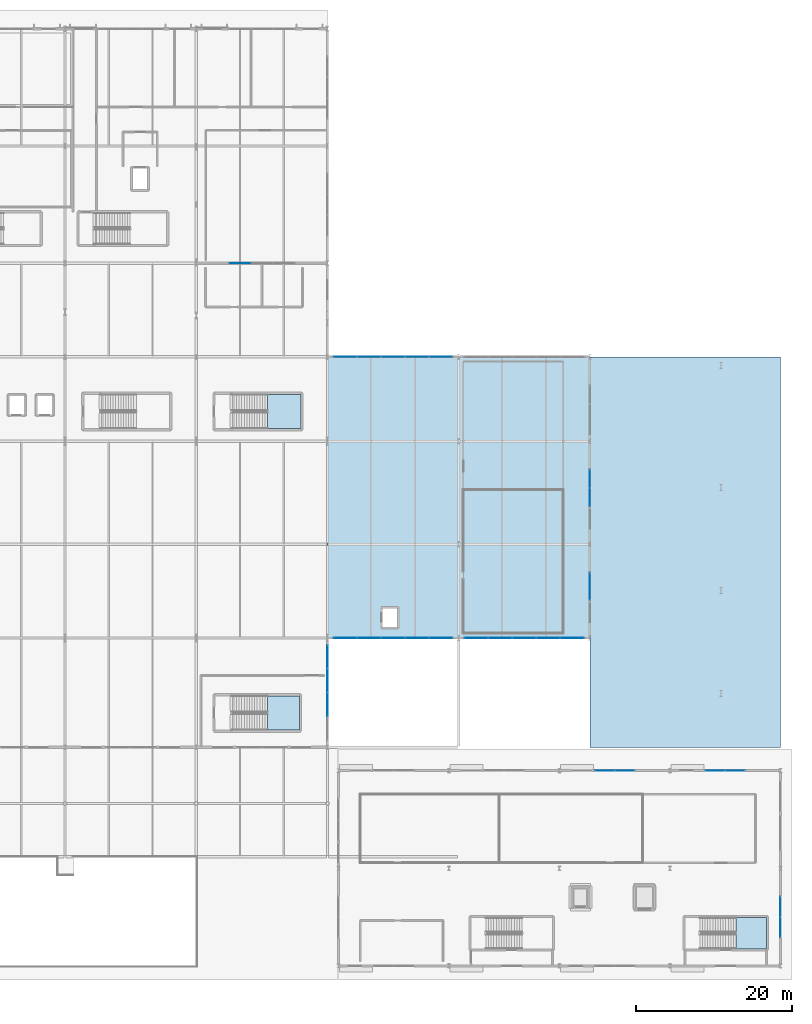
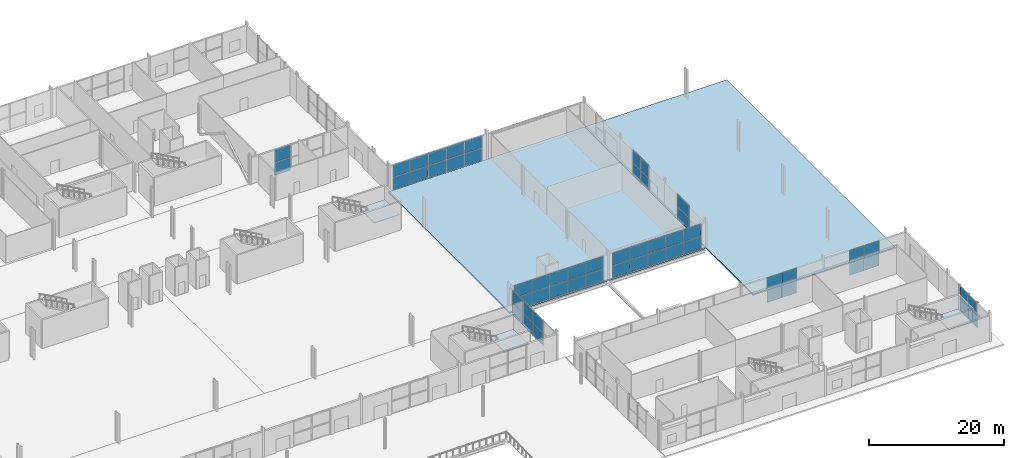
# One storey, part 56 of 87: 56 plates, 5 slabs, 13 elements without a shape of their own.
"""IFC4 building model written with IfcOpenShell, lengths in metres."""

from ifc_helpers import new_model, si_unit, direction, frame, origin, origin_2d, place, context, subcontext, project, spatial, polyline, rectangle, outline, extrude, material, layer, layer_set, type_object, element, aggregate, save


model = new_model("IFC4")

# Units and contexts
model_context = context("Model", 3, precision=1e-05, world=origin(), true_north=direction((0.0, 1.0)))
body_context = subcontext(model_context, "Body", "Model", "MODEL_VIEW")
ifc_project = project(units=[si_unit("LENGTHUNIT", "METRE"), si_unit("AREAUNIT", "SQUARE_METRE"), si_unit("VOLUMEUNIT", "CUBIC_METRE"), si_unit("PLANEANGLEUNIT", "RADIAN"), si_unit("MASSUNIT", "GRAM", prefix="KILO")], contexts=[model_context])

# Site, building, storey
site_placement = place(None, origin())
site = spatial("IfcSite", under=ifc_project, at=site_placement, CompositionType="ELEMENT")
building_placement = place(site_placement, origin())
building = spatial("IfcBuilding", under=site, at=building_placement, Name="Kimbaza Rail Terminus", CompositionType="ELEMENT")
storey_placement = place(building_placement, origin())
storey = spatial("IfcBuildingStorey", under=building, at=storey_placement, Name="L00", CompositionType="ELEMENT", Elevation=0.0)

# Curtain wall, plates
ifc_material_1 = material(Name="Anodised aluminium framing and solar low-E glazing", Category="aluminium")
curtain_wall_type_1 = type_object("IfcCurtainWallType", Name="ARC-CW-TH1", PredefinedType="USERDEFINED", material=ifc_material_1)
curtain_wall_1_placement = place(storey_placement, origin())
curtain_wall_1 = element("IfcCurtainWall", 1, at=curtain_wall_1_placement, inside=storey, type_object=curtain_wall_type_1, Name="Concourse E Return Curtain Wall L00", ObjectType="UNITISED CURTAIN WALL", PredefinedType="USERDEFINED")
ifc_material_2 = material(Name="Solar-control double low-E glazing", Category="glass")
ifc_layer_1 = layer(ifc_material_2, 0.035888671875)
ifc_layer_set_1 = layer_set([ifc_layer_1], Name="Solar-control double low-E glazing")
plate_type_1 = type_object("IfcPlateType", Name="ARC-CWP-01", PredefinedType="CURTAIN_PANEL", material=ifc_layer_set_1)
plate_1_placement = place(storey_placement, frame((156.0, 46.4775390625, 0.0751953125), z_axis=(0.0, 0.0, 1.0), x_axis=(0.0, 1.0, 0.0)))
plate_1 = element("IfcPlate", 2, at=plate_1_placement, type_object=plate_type_1, Name="CW-01 panel 2.1", PredefinedType="CURTAIN_PANEL", context=body_context, shape_type="SweptSolid", body=[
    extrude(rectangle(XDim=2.989990234375, YDim=0.035888671875, at=origin_2d()), origin(), (0.0, 0.0, 1.0), 2.199951171875),
])
plate_2_placement = place(storey_placement, frame((156.0, 46.4775390625, 2.35009765625), z_axis=(0.0, 0.0, 1.0), x_axis=(0.0, 1.0, 0.0)))
plate_2 = element("IfcPlate", 3, at=plate_2_placement, type_object=plate_type_1, Name="CW-01 panel 2.2", PredefinedType="CURTAIN_PANEL", context=body_context, shape_type="SweptSolid", body=[
    extrude(rectangle(XDim=2.989990234375, YDim=0.035888671875, at=origin_2d()), origin(), (0.0, 0.0, 1.0), 2.199951171875),
])
plate_3_placement = place(storey_placement, frame((156.0, 49.54248046875, 0.0751953125), z_axis=(0.0, 0.0, 1.0), x_axis=(0.0, 1.0, 0.0)))
plate_3 = element("IfcPlate", 4, at=plate_3_placement, type_object=plate_type_1, Name="CW-01 panel 3.1", PredefinedType="CURTAIN_PANEL", context=body_context, shape_type="SweptSolid", body=[
    extrude(rectangle(XDim=2.989990234375, YDim=0.035888671875, at=origin_2d()), origin(), (0.0, 0.0, 1.0), 2.199951171875),
])
plate_4_placement = place(storey_placement, frame((156.0, 49.54248046875, 2.35009765625), z_axis=(0.0, 0.0, 1.0), x_axis=(0.0, 1.0, 0.0)))
plate_4 = element("IfcPlate", 5, at=plate_4_placement, type_object=plate_type_1, Name="CW-01 panel 3.2", PredefinedType="CURTAIN_PANEL", context=body_context, shape_type="SweptSolid", body=[
    extrude(rectangle(XDim=2.989990234375, YDim=0.035888671875, at=origin_2d()), origin(), (0.0, 0.0, 1.0), 2.199951171875),
])
plate_5_placement = place(storey_placement, frame((156.0, 52.5888671875, 0.0751953125), z_axis=(0.0, 0.0, 1.0), x_axis=(0.0, 1.0, 0.0)))
plate_5 = element("IfcPlate", 6, at=plate_5_placement, type_object=plate_type_1, Name="CW-01 panel 4.1", PredefinedType="CURTAIN_PANEL", context=body_context, shape_type="SweptSolid", body=[
    extrude(rectangle(XDim=2.952392578125, YDim=0.035888671875, at=origin_2d()), origin(), (0.0, 0.0, 1.0), 2.199951171875),
])
plate_6_placement = place(storey_placement, frame((156.0, 52.5888671875, 2.35009765625), z_axis=(0.0, 0.0, 1.0), x_axis=(0.0, 1.0, 0.0)))
plate_6 = element("IfcPlate", 7, at=plate_6_placement, type_object=plate_type_1, Name="CW-01 panel 4.2", PredefinedType="CURTAIN_PANEL", context=body_context, shape_type="SweptSolid", body=[
    extrude(rectangle(XDim=2.952392578125, YDim=0.035888671875, at=origin_2d()), origin(), (0.0, 0.0, 1.0), 2.199951171875),
])
aggregate(curtain_wall_1, [plate_1, plate_2, plate_3, plate_4, plate_5, plate_6])

curtain_wall_2_placement = place(storey_placement, origin())
curtain_wall_2 = element("IfcCurtainWall", 8, at=curtain_wall_2_placement, inside=storey, type_object=curtain_wall_type_1, Name="Ticket Hall Wing E Curtain Wall L00.1", ObjectType="UNITISED CURTAIN WALL", PredefinedType="USERDEFINED")
plate_7_placement = place(storey_placement, frame((158.274658203125, 55.0, 0.0751953125), z_axis=(0.0, 0.0, 1.0), x_axis=(1.0, 0.0, 0.0)))
plate_7 = element("IfcPlate", 9, at=plate_7_placement, type_object=plate_type_1, Name="CW-01 panel 1.1", PredefinedType="CURTAIN_PANEL", context=body_context, shape_type="SweptSolid", body=[
    extrude(rectangle(XDim=2.95947265625, YDim=0.035888671875, at=origin_2d()), origin(), (0.0, 0.0, 1.0), 2.199951171875),
])
plate_8_placement = place(storey_placement, frame((158.274658203125, 55.0, 2.35009765625), z_axis=(0.0, 0.0, 1.0), x_axis=(1.0, 0.0, 0.0)))
plate_8 = element("IfcPlate", 10, at=plate_8_placement, type_object=plate_type_1, Name="CW-01 panel 1.2", PredefinedType="CURTAIN_PANEL", context=body_context, shape_type="SweptSolid", body=[
    extrude(rectangle(XDim=2.95947265625, YDim=0.035888671875, at=origin_2d()), origin(), (0.0, 0.0, 1.0), 2.199951171875),
])
plate_9_placement = place(storey_placement, frame((161.327880859375, 55.0, 0.0751953125), z_axis=(0.0, 0.0, 1.0), x_axis=(1.0, 0.0, 0.0)))
plate_9 = element("IfcPlate", 11, at=plate_9_placement, type_object=plate_type_1, Name="CW-01 panel 2.1", PredefinedType="CURTAIN_PANEL", context=body_context, shape_type="SweptSolid", body=[
    extrude(rectangle(XDim=2.9970703125, YDim=0.035888671875, at=origin_2d()), origin(), (0.0, 0.0, 1.0), 2.199951171875),
])
plate_10_placement = place(storey_placement, frame((161.327880859375, 55.0, 2.35009765625), z_axis=(0.0, 0.0, 1.0), x_axis=(1.0, 0.0, 0.0)))
plate_10 = element("IfcPlate", 12, at=plate_10_placement, type_object=plate_type_1, Name="CW-01 panel 2.2", PredefinedType="CURTAIN_PANEL", context=body_context, shape_type="SweptSolid", body=[
    extrude(rectangle(XDim=2.9970703125, YDim=0.035888671875, at=origin_2d()), origin(), (0.0, 0.0, 1.0), 2.199951171875),
])
plate_11_placement = place(storey_placement, frame((164.39990234375, 55.0, 0.0751953125), z_axis=(0.0, 0.0, 1.0), x_axis=(1.0, 0.0, 0.0)))
plate_11 = element("IfcPlate", 13, at=plate_11_placement, type_object=plate_type_1, Name="CW-01 panel 3.1", PredefinedType="CURTAIN_PANEL", context=body_context, shape_type="SweptSolid", body=[
    extrude(rectangle(XDim=2.9970703125, YDim=0.035888671875, at=origin_2d()), origin(), (0.0, 0.0, 1.0), 2.199951171875),
])
plate_12_placement = place(storey_placement, frame((164.39990234375, 55.0, 2.35009765625), z_axis=(0.0, 0.0, 1.0), x_axis=(1.0, 0.0, 0.0)))
plate_12 = element("IfcPlate", 14, at=plate_12_placement, type_object=plate_type_1, Name="CW-01 panel 3.2", PredefinedType="CURTAIN_PANEL", context=body_context, shape_type="SweptSolid", body=[
    extrude(rectangle(XDim=2.9970703125, YDim=0.035888671875, at=origin_2d()), origin(), (0.0, 0.0, 1.0), 2.199951171875),
])
plate_13_placement = place(storey_placement, frame((167.471923828125, 55.0, 0.0751953125), z_axis=(0.0, 0.0, 1.0), x_axis=(1.0, 0.0, 0.0)))
plate_13 = element("IfcPlate", 15, at=plate_13_placement, type_object=plate_type_1, Name="CW-01 panel 4.1", PredefinedType="CURTAIN_PANEL", context=body_context, shape_type="SweptSolid", body=[
    extrude(rectangle(XDim=2.9970703125, YDim=0.035888671875, at=origin_2d()), origin(), (0.0, 0.0, 1.0), 2.199951171875),
])
plate_14_placement = place(storey_placement, frame((167.471923828125, 55.0, 2.35009765625), z_axis=(0.0, 0.0, 1.0), x_axis=(1.0, 0.0, 0.0)))
plate_14 = element("IfcPlate", 16, at=plate_14_placement, type_object=plate_type_1, Name="CW-01 panel 4.2", PredefinedType="CURTAIN_PANEL", context=body_context, shape_type="SweptSolid", body=[
    extrude(rectangle(XDim=2.9970703125, YDim=0.035888671875, at=origin_2d()), origin(), (0.0, 0.0, 1.0), 2.199951171875),
])
plate_15_placement = place(storey_placement, frame((170.525146484375, 55.0, 0.0751953125), z_axis=(0.0, 0.0, 1.0), x_axis=(1.0, 0.0, 0.0)))
plate_15 = element("IfcPlate", 17, at=plate_15_placement, type_object=plate_type_1, Name="CW-01 panel 5.1", PredefinedType="CURTAIN_PANEL", context=body_context, shape_type="SweptSolid", body=[
    extrude(rectangle(XDim=2.95947265625, YDim=0.035888671875, at=origin_2d()), origin(), (0.0, 0.0, 1.0), 2.199951171875),
])
plate_16_placement = place(storey_placement, frame((170.525146484375, 55.0, 2.35009765625), z_axis=(0.0, 0.0, 1.0), x_axis=(1.0, 0.0, 0.0)))
plate_16 = element("IfcPlate", 18, at=plate_16_placement, type_object=plate_type_1, Name="CW-01 panel 5.2", PredefinedType="CURTAIN_PANEL", context=body_context, shape_type="SweptSolid", body=[
    extrude(rectangle(XDim=2.95947265625, YDim=0.035888671875, at=origin_2d()), origin(), (0.0, 0.0, 1.0), 2.199951171875),
])
aggregate(curtain_wall_2, [plate_7, plate_8, plate_9, plate_10, plate_11, plate_12, plate_13, plate_14, plate_15, plate_16])

curtain_wall_3_placement = place(storey_placement, origin())
curtain_wall_3 = element("IfcCurtainWall", 19, at=curtain_wall_3_placement, inside=storey, type_object=curtain_wall_type_1, Name="Ticket Hall Wing E Curtain Wall L00.1", ObjectType="UNITISED CURTAIN WALL", PredefinedType="USERDEFINED")
plate_17_placement = place(storey_placement, frame((158.274658203125, 91.0, 0.0751953125), z_axis=(0.0, 0.0, 1.0), x_axis=(1.0, 0.0, 0.0)))
plate_17 = element("IfcPlate", 20, at=plate_17_placement, type_object=plate_type_1, Name="CW-01 panel 1.1", PredefinedType="CURTAIN_PANEL", context=body_context, shape_type="SweptSolid", body=[
    extrude(rectangle(XDim=2.95947265625, YDim=0.035888671875, at=origin_2d()), origin(), (0.0, 0.0, 1.0), 2.199951171875),
])
plate_18_placement = place(storey_placement, frame((158.274658203125, 91.0, 2.35009765625), z_axis=(0.0, 0.0, 1.0), x_axis=(1.0, 0.0, 0.0)))
plate_18 = element("IfcPlate", 21, at=plate_18_placement, type_object=plate_type_1, Name="CW-01 panel 1.2", PredefinedType="CURTAIN_PANEL", context=body_context, shape_type="SweptSolid", body=[
    extrude(rectangle(XDim=2.95947265625, YDim=0.035888671875, at=origin_2d()), origin(), (0.0, 0.0, 1.0), 2.199951171875),
])
plate_19_placement = place(storey_placement, frame((161.327880859375, 91.0, 0.0751953125), z_axis=(0.0, 0.0, 1.0), x_axis=(1.0, 0.0, 0.0)))
plate_19 = element("IfcPlate", 22, at=plate_19_placement, type_object=plate_type_1, Name="CW-01 panel 2.1", PredefinedType="CURTAIN_PANEL", context=body_context, shape_type="SweptSolid", body=[
    extrude(rectangle(XDim=2.9970703125, YDim=0.035888671875, at=origin_2d()), origin(), (0.0, 0.0, 1.0), 2.199951171875),
])
plate_20_placement = place(storey_placement, frame((161.327880859375, 91.0, 2.35009765625), z_axis=(0.0, 0.0, 1.0), x_axis=(1.0, 0.0, 0.0)))
plate_20 = element("IfcPlate", 23, at=plate_20_placement, type_object=plate_type_1, Name="CW-01 panel 2.2", PredefinedType="CURTAIN_PANEL", context=body_context, shape_type="SweptSolid", body=[
    extrude(rectangle(XDim=2.9970703125, YDim=0.035888671875, at=origin_2d()), origin(), (0.0, 0.0, 1.0), 2.199951171875),
])
plate_21_placement = place(storey_placement, frame((164.39990234375, 91.0, 0.0751953125), z_axis=(0.0, 0.0, 1.0), x_axis=(1.0, 0.0, 0.0)))
plate_21 = element("IfcPlate", 24, at=plate_21_placement, type_object=plate_type_1, Name="CW-01 panel 3.1", PredefinedType="CURTAIN_PANEL", context=body_context, shape_type="SweptSolid", body=[
    extrude(rectangle(XDim=2.9970703125, YDim=0.035888671875, at=origin_2d()), origin(), (0.0, 0.0, 1.0), 2.199951171875),
])
plate_22_placement = place(storey_placement, frame((164.39990234375, 91.0, 2.35009765625), z_axis=(0.0, 0.0, 1.0), x_axis=(1.0, 0.0, 0.0)))
plate_22 = element("IfcPlate", 25, at=plate_22_placement, type_object=plate_type_1, Name="CW-01 panel 3.2", PredefinedType="CURTAIN_PANEL", context=body_context, shape_type="SweptSolid", body=[
    extrude(rectangle(XDim=2.9970703125, YDim=0.035888671875, at=origin_2d()), origin(), (0.0, 0.0, 1.0), 2.199951171875),
])
plate_23_placement = place(storey_placement, frame((167.471923828125, 91.0, 0.0751953125), z_axis=(0.0, 0.0, 1.0), x_axis=(1.0, 0.0, 0.0)))
plate_23 = element("IfcPlate", 26, at=plate_23_placement, type_object=plate_type_1, Name="CW-01 panel 4.1", PredefinedType="CURTAIN_PANEL", context=body_context, shape_type="SweptSolid", body=[
    extrude(rectangle(XDim=2.9970703125, YDim=0.035888671875, at=origin_2d()), origin(), (0.0, 0.0, 1.0), 2.199951171875),
])
plate_24_placement = place(storey_placement, frame((167.471923828125, 91.0, 2.35009765625), z_axis=(0.0, 0.0, 1.0), x_axis=(1.0, 0.0, 0.0)))
plate_24 = element("IfcPlate", 27, at=plate_24_placement, type_object=plate_type_1, Name="CW-01 panel 4.2", PredefinedType="CURTAIN_PANEL", context=body_context, shape_type="SweptSolid", body=[
    extrude(rectangle(XDim=2.9970703125, YDim=0.035888671875, at=origin_2d()), origin(), (0.0, 0.0, 1.0), 2.199951171875),
])
plate_25_placement = place(storey_placement, frame((170.525146484375, 91.0, 0.0751953125), z_axis=(0.0, 0.0, 1.0), x_axis=(1.0, 0.0, 0.0)))
plate_25 = element("IfcPlate", 28, at=plate_25_placement, type_object=plate_type_1, Name="CW-01 panel 5.1", PredefinedType="CURTAIN_PANEL", context=body_context, shape_type="SweptSolid", body=[
    extrude(rectangle(XDim=2.95947265625, YDim=0.035888671875, at=origin_2d()), origin(), (0.0, 0.0, 1.0), 2.199951171875),
])
plate_26_placement = place(storey_placement, frame((170.525146484375, 91.0, 2.35009765625), z_axis=(0.0, 0.0, 1.0), x_axis=(1.0, 0.0, 0.0)))
plate_26 = element("IfcPlate", 29, at=plate_26_placement, type_object=plate_type_1, Name="CW-01 panel 5.2", PredefinedType="CURTAIN_PANEL", context=body_context, shape_type="SweptSolid", body=[
    extrude(rectangle(XDim=2.95947265625, YDim=0.035888671875, at=origin_2d()), origin(), (0.0, 0.0, 1.0), 2.199951171875),
])
aggregate(curtain_wall_3, [plate_17, plate_18, plate_19, plate_20, plate_21, plate_22, plate_23, plate_24, plate_25, plate_26])

curtain_wall_4_placement = place(storey_placement, origin())
curtain_wall_4 = element("IfcCurtainWall", 30, at=curtain_wall_4_placement, inside=storey, type_object=curtain_wall_type_1, Name="Ticket Hall Wing E Curtain Wall L00.2", ObjectType="UNITISED CURTAIN WALL", PredefinedType="USERDEFINED")
plate_27_placement = place(storey_placement, frame((175.07470703125, 55.0, 0.0751953125), z_axis=(0.0, 0.0, 1.0), x_axis=(1.0, 0.0, 0.0)))
plate_27 = element("IfcPlate", 31, at=plate_27_placement, type_object=plate_type_1, Name="CW-01 panel 1.1", PredefinedType="CURTAIN_PANEL", context=body_context, shape_type="SweptSolid", body=[
    extrude(rectangle(XDim=2.95947265625, YDim=0.035888671875, at=origin_2d()), origin(), (0.0, 0.0, 1.0), 2.199951171875),
])
plate_28_placement = place(storey_placement, frame((175.07470703125, 55.0, 2.35009765625), z_axis=(0.0, 0.0, 1.0), x_axis=(1.0, 0.0, 0.0)))
plate_28 = element("IfcPlate", 32, at=plate_28_placement, type_object=plate_type_1, Name="CW-01 panel 1.2", PredefinedType="CURTAIN_PANEL", context=body_context, shape_type="SweptSolid", body=[
    extrude(rectangle(XDim=2.95947265625, YDim=0.035888671875, at=origin_2d()), origin(), (0.0, 0.0, 1.0), 2.199951171875),
])
plate_29_placement = place(storey_placement, frame((178.1279296875, 55.0, 0.0751953125), z_axis=(0.0, 0.0, 1.0), x_axis=(1.0, 0.0, 0.0)))
plate_29 = element("IfcPlate", 33, at=plate_29_placement, type_object=plate_type_1, Name="CW-01 panel 2.1", PredefinedType="CURTAIN_PANEL", context=body_context, shape_type="SweptSolid", body=[
    extrude(rectangle(XDim=2.9970703125, YDim=0.035888671875, at=origin_2d()), origin(), (0.0, 0.0, 1.0), 2.199951171875),
])
plate_30_placement = place(storey_placement, frame((178.1279296875, 55.0, 2.35009765625), z_axis=(0.0, 0.0, 1.0), x_axis=(1.0, 0.0, 0.0)))
plate_30 = element("IfcPlate", 34, at=plate_30_placement, type_object=plate_type_1, Name="CW-01 panel 2.2", PredefinedType="CURTAIN_PANEL", context=body_context, shape_type="SweptSolid", body=[
    extrude(rectangle(XDim=2.9970703125, YDim=0.035888671875, at=origin_2d()), origin(), (0.0, 0.0, 1.0), 2.199951171875),
])
plate_31_placement = place(storey_placement, frame((181.199951171875, 55.0, 0.0751953125), z_axis=(0.0, 0.0, 1.0), x_axis=(1.0, 0.0, 0.0)))
plate_31 = element("IfcPlate", 35, at=plate_31_placement, type_object=plate_type_1, Name="CW-01 panel 3.1", PredefinedType="CURTAIN_PANEL", context=body_context, shape_type="SweptSolid", body=[
    extrude(rectangle(XDim=2.9970703125, YDim=0.035888671875, at=origin_2d()), origin(), (0.0, 0.0, 1.0), 2.199951171875),
])
plate_32_placement = place(storey_placement, frame((181.199951171875, 55.0, 2.35009765625), z_axis=(0.0, 0.0, 1.0), x_axis=(1.0, 0.0, 0.0)))
plate_32 = element("IfcPlate", 36, at=plate_32_placement, type_object=plate_type_1, Name="CW-01 panel 3.2", PredefinedType="CURTAIN_PANEL", context=body_context, shape_type="SweptSolid", body=[
    extrude(rectangle(XDim=2.9970703125, YDim=0.035888671875, at=origin_2d()), origin(), (0.0, 0.0, 1.0), 2.199951171875),
])
plate_33_placement = place(storey_placement, frame((184.27197265625, 55.0, 0.0751953125), z_axis=(0.0, 0.0, 1.0), x_axis=(1.0, 0.0, 0.0)))
plate_33 = element("IfcPlate", 37, at=plate_33_placement, type_object=plate_type_1, Name="CW-01 panel 4.1", PredefinedType="CURTAIN_PANEL", context=body_context, shape_type="SweptSolid", body=[
    extrude(rectangle(XDim=2.9970703125, YDim=0.035888671875, at=origin_2d()), origin(), (0.0, 0.0, 1.0), 2.199951171875),
])
plate_34_placement = place(storey_placement, frame((184.27197265625, 55.0, 2.35009765625), z_axis=(0.0, 0.0, 1.0), x_axis=(1.0, 0.0, 0.0)))
plate_34 = element("IfcPlate", 38, at=plate_34_placement, type_object=plate_type_1, Name="CW-01 panel 4.2", PredefinedType="CURTAIN_PANEL", context=body_context, shape_type="SweptSolid", body=[
    extrude(rectangle(XDim=2.9970703125, YDim=0.035888671875, at=origin_2d()), origin(), (0.0, 0.0, 1.0), 2.199951171875),
])
plate_35_placement = place(storey_placement, frame((187.3251953125, 55.0, 0.0751953125), z_axis=(0.0, 0.0, 1.0), x_axis=(1.0, 0.0, 0.0)))
plate_35 = element("IfcPlate", 39, at=plate_35_placement, type_object=plate_type_1, Name="CW-01 panel 5.1", PredefinedType="CURTAIN_PANEL", context=body_context, shape_type="SweptSolid", body=[
    extrude(rectangle(XDim=2.95947265625, YDim=0.035888671875, at=origin_2d()), origin(), (0.0, 0.0, 1.0), 2.199951171875),
])
plate_36_placement = place(storey_placement, frame((187.3251953125, 55.0, 2.35009765625), z_axis=(0.0, 0.0, 1.0), x_axis=(1.0, 0.0, 0.0)))
plate_36 = element("IfcPlate", 40, at=plate_36_placement, type_object=plate_type_1, Name="CW-01 panel 5.2", PredefinedType="CURTAIN_PANEL", context=body_context, shape_type="SweptSolid", body=[
    extrude(rectangle(XDim=2.95947265625, YDim=0.035888671875, at=origin_2d()), origin(), (0.0, 0.0, 1.0), 2.199951171875),
])
aggregate(curtain_wall_4, [plate_27, plate_28, plate_29, plate_30, plate_31, plate_32, plate_33, plate_34, plate_35, plate_36])

curtain_wall_5_placement = place(storey_placement, origin())
curtain_wall_5 = element("IfcCurtainWall", 41, at=curtain_wall_5_placement, inside=storey, type_object=curtain_wall_type_1, Name="Ticket Hall E Glazing L00.1", ObjectType="UNITISED CURTAIN WALL", PredefinedType="USERDEFINED")
plate_37_placement = place(storey_placement, frame((189.60009765625, 61.60009765625, 0.074951171875), z_axis=(0.0, 0.0, 1.0), x_axis=(0.0, 1.0, 0.0)))
plate_37 = element("IfcPlate", 42, at=plate_37_placement, type_object=plate_type_1, Name="CW-01 panel 1.1", PredefinedType="CURTAIN_PANEL", context=body_context, shape_type="SweptSolid", body=[
    extrude(rectangle(XDim=3.449951171875, YDim=0.035888671875, at=origin_2d()), origin(), (0.0, 0.0, 1.0), 2.22509765625),
])
plate_38_placement = place(storey_placement, frame((189.60009765625, 61.60009765625, 2.375), z_axis=(0.0, 0.0, 1.0), x_axis=(0.0, 1.0, 0.0)))
plate_38 = element("IfcPlate", 43, at=plate_38_placement, type_object=plate_type_1, Name="CW-01 panel 1.2", PredefinedType="CURTAIN_PANEL", context=body_context, shape_type="SweptSolid", body=[
    extrude(rectangle(XDim=3.449951171875, YDim=0.035888671875, at=origin_2d()), origin(), (0.0, 0.0, 1.0), 2.22509765625),
])
aggregate(curtain_wall_5, [plate_37, plate_38])

curtain_wall_6_placement = place(storey_placement, origin())
curtain_wall_6 = element("IfcCurtainWall", 44, at=curtain_wall_6_placement, inside=storey, type_object=curtain_wall_type_1, Name="Ticket Hall E Glazing L00.2", ObjectType="UNITISED CURTAIN WALL", PredefinedType="USERDEFINED")
plate_39_placement = place(storey_placement, frame((189.60009765625, 73.018798828125, 0.074951171875), z_axis=(0.0, 0.0, 1.0), x_axis=(0.0, 1.0, 0.0)))
plate_39 = element("IfcPlate", 45, at=plate_39_placement, type_object=plate_type_1, Name="CW-01 panel 1.1", PredefinedType="CURTAIN_PANEL", context=body_context, shape_type="SweptSolid", body=[
    extrude(rectangle(XDim=2.28759765625, YDim=0.035888671875, at=origin_2d()), origin(), (0.0, 0.0, 1.0), 2.22509765625),
])
plate_40_placement = place(storey_placement, frame((189.60009765625, 73.018798828125, 2.375), z_axis=(0.0, 0.0, 1.0), x_axis=(0.0, 1.0, 0.0)))
plate_40 = element("IfcPlate", 46, at=plate_40_placement, type_object=plate_type_1, Name="CW-01 panel 1.2", PredefinedType="CURTAIN_PANEL", context=body_context, shape_type="SweptSolid", body=[
    extrude(rectangle(XDim=2.28759765625, YDim=0.035888671875, at=origin_2d()), origin(), (0.0, 0.0, 1.0), 2.22509765625),
])
plate_41_placement = place(storey_placement, frame((189.60009765625, 75.38134765625, 0.074951171875), z_axis=(0.0, 0.0, 1.0), x_axis=(0.0, 1.0, 0.0)))
plate_41 = element("IfcPlate", 47, at=plate_41_placement, type_object=plate_type_1, Name="CW-01 panel 2.1", PredefinedType="CURTAIN_PANEL", context=body_context, shape_type="SweptSolid", body=[
    extrude(rectangle(XDim=2.28759765625, YDim=0.035888671875, at=origin_2d()), origin(), (0.0, 0.0, 1.0), 2.22509765625),
])
plate_42_placement = place(storey_placement, frame((189.60009765625, 75.38134765625, 2.375), z_axis=(0.0, 0.0, 1.0), x_axis=(0.0, 1.0, 0.0)))
plate_42 = element("IfcPlate", 48, at=plate_42_placement, type_object=plate_type_1, Name="CW-01 panel 2.2", PredefinedType="CURTAIN_PANEL", context=body_context, shape_type="SweptSolid", body=[
    extrude(rectangle(XDim=2.28759765625, YDim=0.035888671875, at=origin_2d()), origin(), (0.0, 0.0, 1.0), 2.22509765625),
])
aggregate(curtain_wall_6, [plate_39, plate_40, plate_41, plate_42])

ifc_material_3 = material(Name="Anodised aluminium framing and solar low-E glazing", Category="aluminium")
curtain_wall_type_2 = type_object("IfcCurtainWallType", Name="ARC-CW-PV1", PredefinedType="USERDEFINED", material=ifc_material_3)
curtain_wall_7_placement = place(storey_placement, origin())
curtain_wall_7 = element("IfcCurtainWall", 49, at=curtain_wall_7_placement, inside=storey, type_object=curtain_wall_type_2, Name="Pavilion N Curtain Wall L00.3", ObjectType="STICK CURTAIN WALL", PredefinedType="USERDEFINED")
ifc_material_4 = material(Name="Solar-control double low-E glazing", Category="glass")
ifc_layer_2 = layer(ifc_material_4, 0.027099609375)
ifc_layer_set_2 = layer_set([ifc_layer_2], Name="Solar-control double low-E glazing")
plate_type_2 = type_object("IfcPlateType", Name="ARC-CWP-04", PredefinedType="CURTAIN_PANEL", material=ifc_layer_set_2)
plate_43_placement = place(storey_placement, frame((191.503662109375, 38.0, 0.06494140625), z_axis=(0.0, 0.0, 1.0), x_axis=(1.0, 0.0, 0.0)))
plate_43 = element("IfcPlate", 50, at=plate_43_placement, type_object=plate_type_2, Name="CW-04 panel 1.1", PredefinedType="CURTAIN_PANEL", context=body_context, shape_type="SweptSolid", body=[
    extrude(rectangle(XDim=2.4775390625, YDim=0.027099609375, at=origin_2d()), origin(), (0.0, 0.0, 1.0), 2.215087890625),
])
plate_44_placement = place(storey_placement, frame((191.503662109375, 38.0, 2.3447265625), z_axis=(0.0, 0.0, 1.0), x_axis=(1.0, 0.0, 0.0)))
plate_44 = element("IfcPlate", 51, at=plate_44_placement, type_object=plate_type_2, Name="CW-04 panel 1.2", PredefinedType="CURTAIN_PANEL", context=body_context, shape_type="SweptSolid", body=[
    extrude(rectangle(XDim=2.4775390625, YDim=0.027099609375, at=origin_2d()), origin(), (0.0, 0.0, 1.0), 2.215087890625),
])
plate_45_placement = place(storey_placement, frame((194.046142578125, 38.0, 0.06494140625), z_axis=(0.0, 0.0, 1.0), x_axis=(1.0, 0.0, 0.0)))
plate_45 = element("IfcPlate", 52, at=plate_45_placement, type_object=plate_type_2, Name="CW-04 panel 2.1", PredefinedType="CURTAIN_PANEL", context=body_context, shape_type="SweptSolid", body=[
    extrude(rectangle(XDim=2.4775390625, YDim=0.027099609375, at=origin_2d()), origin(), (0.0, 0.0, 1.0), 2.215087890625),
])
plate_46_placement = place(storey_placement, frame((194.046142578125, 38.0, 2.3447265625), z_axis=(0.0, 0.0, 1.0), x_axis=(1.0, 0.0, 0.0)))
plate_46 = element("IfcPlate", 53, at=plate_46_placement, type_object=plate_type_2, Name="CW-04 panel 2.2", PredefinedType="CURTAIN_PANEL", context=body_context, shape_type="SweptSolid", body=[
    extrude(rectangle(XDim=2.4775390625, YDim=0.027099609375, at=origin_2d()), origin(), (0.0, 0.0, 1.0), 2.215087890625),
])
aggregate(curtain_wall_7, [plate_43, plate_44, plate_45, plate_46])

curtain_wall_8_placement = place(storey_placement, origin())
curtain_wall_8 = element("IfcCurtainWall", 54, at=curtain_wall_8_placement, inside=storey, type_object=curtain_wall_type_2, Name="Pavilion N Curtain Wall L00.4", ObjectType="STICK CURTAIN WALL", PredefinedType="USERDEFINED")
plate_47_placement = place(storey_placement, frame((205.65380859375, 38.0, 0.06494140625), z_axis=(0.0, 0.0, 1.0), x_axis=(1.0, 0.0, 0.0)))
plate_47 = element("IfcPlate", 55, at=plate_47_placement, type_object=plate_type_2, Name="CW-04 panel 1.1", PredefinedType="CURTAIN_PANEL", context=body_context, shape_type="SweptSolid", body=[
    extrude(rectangle(XDim=2.4775390625, YDim=0.027099609375, at=origin_2d()), origin(), (0.0, 0.0, 1.0), 2.215087890625),
])
plate_48_placement = place(storey_placement, frame((205.65380859375, 38.0, 2.3447265625), z_axis=(0.0, 0.0, 1.0), x_axis=(1.0, 0.0, 0.0)))
plate_48 = element("IfcPlate", 56, at=plate_48_placement, type_object=plate_type_2, Name="CW-04 panel 1.2", PredefinedType="CURTAIN_PANEL", context=body_context, shape_type="SweptSolid", body=[
    extrude(rectangle(XDim=2.4775390625, YDim=0.027099609375, at=origin_2d()), origin(), (0.0, 0.0, 1.0), 2.215087890625),
])
plate_49_placement = place(storey_placement, frame((208.1962890625, 38.0, 0.06494140625), z_axis=(0.0, 0.0, 1.0), x_axis=(1.0, 0.0, 0.0)))
plate_49 = element("IfcPlate", 57, at=plate_49_placement, type_object=plate_type_2, Name="CW-04 panel 2.1", PredefinedType="CURTAIN_PANEL", context=body_context, shape_type="SweptSolid", body=[
    extrude(rectangle(XDim=2.4775390625, YDim=0.027099609375, at=origin_2d()), origin(), (0.0, 0.0, 1.0), 2.215087890625),
])
plate_50_placement = place(storey_placement, frame((208.1962890625, 38.0, 2.3447265625), z_axis=(0.0, 0.0, 1.0), x_axis=(1.0, 0.0, 0.0)))
plate_50 = element("IfcPlate", 58, at=plate_50_placement, type_object=plate_type_2, Name="CW-04 panel 2.2", PredefinedType="CURTAIN_PANEL", context=body_context, shape_type="SweptSolid", body=[
    extrude(rectangle(XDim=2.4775390625, YDim=0.027099609375, at=origin_2d()), origin(), (0.0, 0.0, 1.0), 2.215087890625),
])
aggregate(curtain_wall_8, [plate_47, plate_48, plate_49, plate_50])

curtain_wall_9_placement = place(storey_placement, origin())
curtain_wall_9 = element("IfcCurtainWall", 59, at=curtain_wall_9_placement, inside=storey, type_object=curtain_wall_type_2, Name="Pavilion E Curtain Wall L00.1", ObjectType="STICK CURTAIN WALL", PredefinedType="USERDEFINED")
plate_51_placement = place(storey_placement, frame((214.0, 17.941162109375, 0.06494140625), z_axis=(0.0, 0.0, 1.0), x_axis=(0.0, 1.0, 0.0)))
plate_51 = element("IfcPlate", 60, at=plate_51_placement, type_object=plate_type_2, Name="CW-04 panel 1.1", PredefinedType="CURTAIN_PANEL", context=body_context, shape_type="SweptSolid", body=[
    extrude(rectangle(XDim=2.552490234375, YDim=0.027099609375, at=origin_2d()), origin(), (0.0, 0.0, 1.0), 2.239990234375),
])
plate_52_placement = place(storey_placement, frame((214.0, 17.941162109375, 2.3701171875), z_axis=(0.0, 0.0, 1.0), x_axis=(0.0, 1.0, 0.0)))
plate_52 = element("IfcPlate", 61, at=plate_52_placement, type_object=plate_type_2, Name="CW-04 panel 1.2", PredefinedType="CURTAIN_PANEL", context=body_context, shape_type="SweptSolid", body=[
    extrude(rectangle(XDim=2.552490234375, YDim=0.027099609375, at=origin_2d()), origin(), (0.0, 0.0, 1.0), 2.239990234375),
])
plate_53_placement = place(storey_placement, frame((214.0, 20.558837890625, 0.06494140625), z_axis=(0.0, 0.0, 1.0), x_axis=(0.0, 1.0, 0.0)))
plate_53 = element("IfcPlate", 62, at=plate_53_placement, type_object=plate_type_2, Name="CW-04 panel 2.1", PredefinedType="CURTAIN_PANEL", context=body_context, shape_type="SweptSolid", body=[
    extrude(rectangle(XDim=2.552490234375, YDim=0.027099609375, at=origin_2d()), origin(), (0.0, 0.0, 1.0), 2.239990234375),
])
plate_54_placement = place(storey_placement, frame((214.0, 20.558837890625, 2.3701171875), z_axis=(0.0, 0.0, 1.0), x_axis=(0.0, 1.0, 0.0)))
plate_54 = element("IfcPlate", 63, at=plate_54_placement, type_object=plate_type_2, Name="CW-04 panel 2.2", PredefinedType="CURTAIN_PANEL", context=body_context, shape_type="SweptSolid", body=[
    extrude(rectangle(XDim=2.552490234375, YDim=0.027099609375, at=origin_2d()), origin(), (0.0, 0.0, 1.0), 2.239990234375),
])
aggregate(curtain_wall_9, [plate_51, plate_52, plate_53, plate_54])

ifc_material_5 = material(Name="Anodised aluminium framing and solar low-E glazing", Category="aluminium")
curtain_wall_type_3 = type_object("IfcCurtainWallType", Name="ARC-CW-OP1", PredefinedType="USERDEFINED", material=ifc_material_5)
curtain_wall_10_placement = place(storey_placement, origin())
curtain_wall_10 = element("IfcCurtainWall", 64, at=curtain_wall_10_placement, inside=storey, type_object=curtain_wall_type_3, Name="Operations South Curtain Wall L00 Bay 6", ObjectType="UNITISED CURTAIN WALL", PredefinedType="USERDEFINED")
ifc_material_6 = material(Name="Solar-control double low-E glazing", Category="glass")
ifc_layer_3 = layer(ifc_material_6, 0.02490234375)
ifc_layer_set_3 = layer_set([ifc_layer_3], Name="Solar-control double low-E glazing")
plate_type_3 = type_object("IfcPlateType", Name="ARC-CWP-05", PredefinedType="CURTAIN_PANEL", material=ifc_layer_set_3)
plate_55_placement = place(storey_placement, frame((144.8154296875, 103.0, 0.06201171875), z_axis=(0.0, 0.0, 1.0), x_axis=(1.0, 0.0, 0.0)))
plate_55 = element("IfcPlate", 65, at=plate_55_placement, type_object=plate_type_3, Name="CW-05 panel 1.1", PredefinedType="CURTAIN_PANEL", context=body_context, shape_type="SweptSolid", body=[
    extrude(rectangle(XDim=2.70703125, YDim=0.02490234375, at=origin_2d()), origin(), (0.0, 0.0, 1.0), 2.28955078125),
])
plate_56_placement = place(storey_placement, frame((144.8154296875, 103.0, 2.41357421875), z_axis=(0.0, 0.0, 1.0), x_axis=(1.0, 0.0, 0.0)))
plate_56 = element("IfcPlate", 66, at=plate_56_placement, type_object=plate_type_3, Name="CW-05 panel 1.2", PredefinedType="CURTAIN_PANEL", context=body_context, shape_type="SweptSolid", body=[
    extrude(rectangle(XDim=2.70703125, YDim=0.02490234375, at=origin_2d()), origin(), (0.0, 0.0, 1.0), 2.28955078125),
])
aggregate(curtain_wall_10, [plate_55, plate_56])

# Slab
ifc_material_7 = material(Name="Concrete C40/50", Category="concrete")
ifc_layer_4 = layer(ifc_material_7, 0.25)
ifc_layer_set_4 = layer_set([ifc_layer_4], Name="Concrete C40/50")
slab_type_1 = type_object("IfcSlabType", Name="STR-SL-CON250", PredefinedType="FLOOR", material=ifc_layer_set_4)
slab_1_placement = place(storey_placement, frame((0.0, 0.0, -0.25)))
element("IfcSlab", 67, at=slab_1_placement, inside=storey, type_object=slab_type_1, Name="Concourse L00 Slab SLB-V2-L00-EAST", PredefinedType="FLOOR", context=body_context, shape_type="SweptSolid", body=[
    extrude(outline(polyline([(156.0, 55.0), (189.60009765625, 55.0), (189.60009765625, 91.0), (156.0, 91.0), (156.0, 55.0)]), holes=[polyline([(163.050048828125, 56.39990234375), (164.949951171875, 56.39990234375), (164.949951171875, 58.800048828125), (163.050048828125, 58.800048828125), (163.050048828125, 56.39990234375)])]), origin(), (0.0, 0.0, 1.0), 0.25),
])

# Stair, slab
ifc_material_8 = material(Name="Concrete C40/50", Category="concrete")
stair_type_1 = type_object("IfcStairType", Name="ARC-STR-06", PredefinedType="HALF_TURN_STAIR", material=ifc_material_8)
stair_1_placement = place(storey_placement, origin())
stair_1 = element("IfcStair", 68, at=stair_1_placement, inside=storey, type_object=stair_type_1, Name="L00 Platform East Concourse Stair", PredefinedType="HALF_TURN_STAIR")
ifc_material_9 = material(Name="Concrete C40/50", Category="concrete")
ifc_layer_5 = layer(ifc_material_9, 0.199951171875)
ifc_layer_set_5 = layer_set([ifc_layer_5], Name="Concrete C40/50")
slab_type_2 = type_object("IfcSlabType", Name="STR-SL-LND200", PredefinedType="LANDING", material=ifc_layer_set_5)
slab_2_placement = place(storey_placement, frame((0.0, 0.0, 2.5)))
slab_2 = element("IfcSlab", 69, at=slab_2_placement, type_object=slab_type_2, Name="ST-C2 landing 1", PredefinedType="LANDING", context=body_context, shape_type="SweptSolid", body=[
    extrude(outline(polyline([(148.320068359375, 81.800048828125), (152.60009765625, 81.800048828125), (152.60009765625, 86.199951171875), (148.320068359375, 86.199951171875), (148.320068359375, 81.800048828125)])), origin(), (0.0, 0.0, 1.0), 0.199951171875),
])
aggregate(stair_1, [slab_2])

stair_2_placement = place(storey_placement, origin())
stair_2 = element("IfcStair", 70, at=stair_2_placement, inside=storey, type_object=stair_type_1, Name="L00 South Metro Concourse East Stair", PredefinedType="HALF_TURN_STAIR")
slab_3_placement = place(storey_placement, frame((0.0, 0.0, 2.5)))
slab_3 = element("IfcSlab", 71, at=slab_3_placement, type_object=slab_type_2, Name="ST-S2 landing 1", PredefinedType="LANDING", context=body_context, shape_type="SweptSolid", body=[
    extrude(outline(polyline([(148.320068359375, 43.199951171875), (152.39990234375, 43.199951171875), (152.39990234375, 47.60009765625), (148.320068359375, 47.60009765625), (148.320068359375, 43.199951171875)])), origin(), (0.0, 0.0, 1.0), 0.199951171875),
])
aggregate(stair_2, [slab_3])

ifc_material_10 = material(Name="Concrete C40/50", Category="concrete")
stair_type_2 = type_object("IfcStairType", Name="ARC-STR-07", PredefinedType="HALF_TURN_STAIR", material=ifc_material_10)
stair_3_placement = place(storey_placement, origin())
stair_3 = element("IfcStair", 72, at=stair_3_placement, inside=storey, type_object=stair_type_2, Name="L00 Retail Pavilion East Stair", PredefinedType="HALF_TURN_STAIR")
slab_4_placement = place(storey_placement, frame((0.0, 0.0, 2.5)))
slab_4 = element("IfcSlab", 73, at=slab_4_placement, type_object=slab_type_2, Name="ST-P2 landing 1", PredefinedType="LANDING", context=body_context, shape_type="SweptSolid", body=[
    extrude(outline(polyline([(208.320068359375, 15.199951171875), (212.199951171875, 15.199951171875), (212.199951171875, 19.199951171875), (208.320068359375, 19.199951171875), (208.320068359375, 15.199951171875)])), origin(), (0.0, 0.0, 1.0), 0.199951171875),
])
aggregate(stair_3, [slab_4])

# Slab
ifc_material_11 = material(Name="Concrete C40/50", Category="concrete")
ifc_layer_6 = layer(ifc_material_11, 0.25)
ifc_layer_set_6 = layer_set([ifc_layer_6], Name="Concrete C40/50")
slab_type_3 = type_object("IfcSlabType", Name="STR-SL-PLZ250", PredefinedType="BASESLAB", material=ifc_layer_set_6)
slab_5_placement = place(storey_placement, frame((0.0, 0.0, -0.25)))
element("IfcSlab", 74, at=slab_5_placement, inside=storey, type_object=slab_type_3, Name="East Service and Fire Access Apron", PredefinedType="BASESLAB", context=body_context, shape_type="SweptSolid", body=[
    extrude(outline(polyline([(189.60009765625, 41.0), (214.0, 41.0), (214.0, 91.0), (189.60009765625, 91.0), (189.60009765625, 41.0)])), origin(), (0.0, 0.0, 1.0), 0.25),
])

save(model, "model.ifc")
